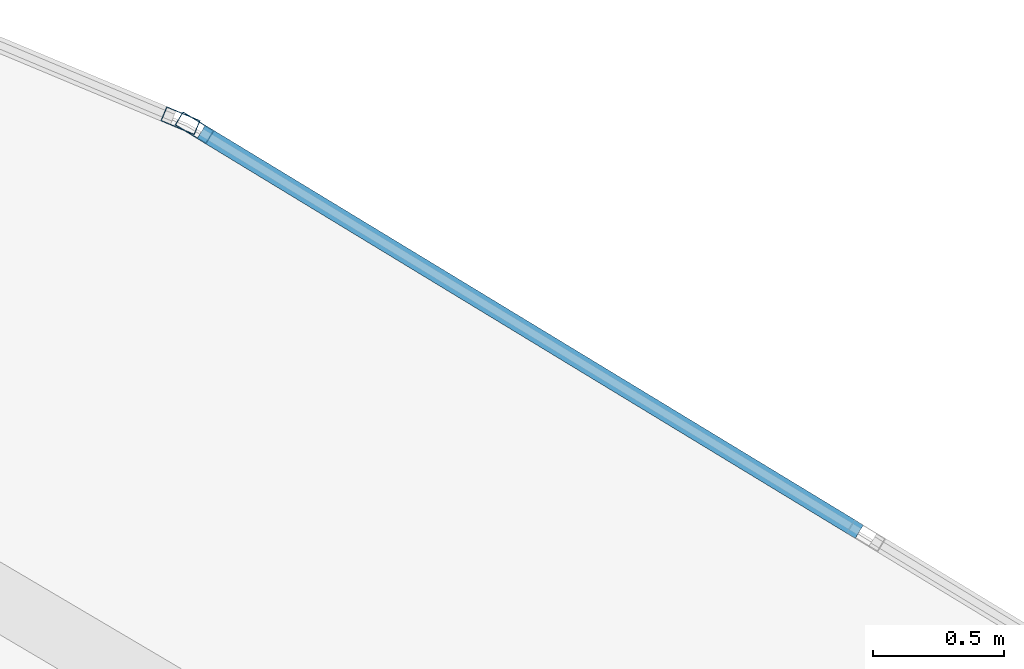
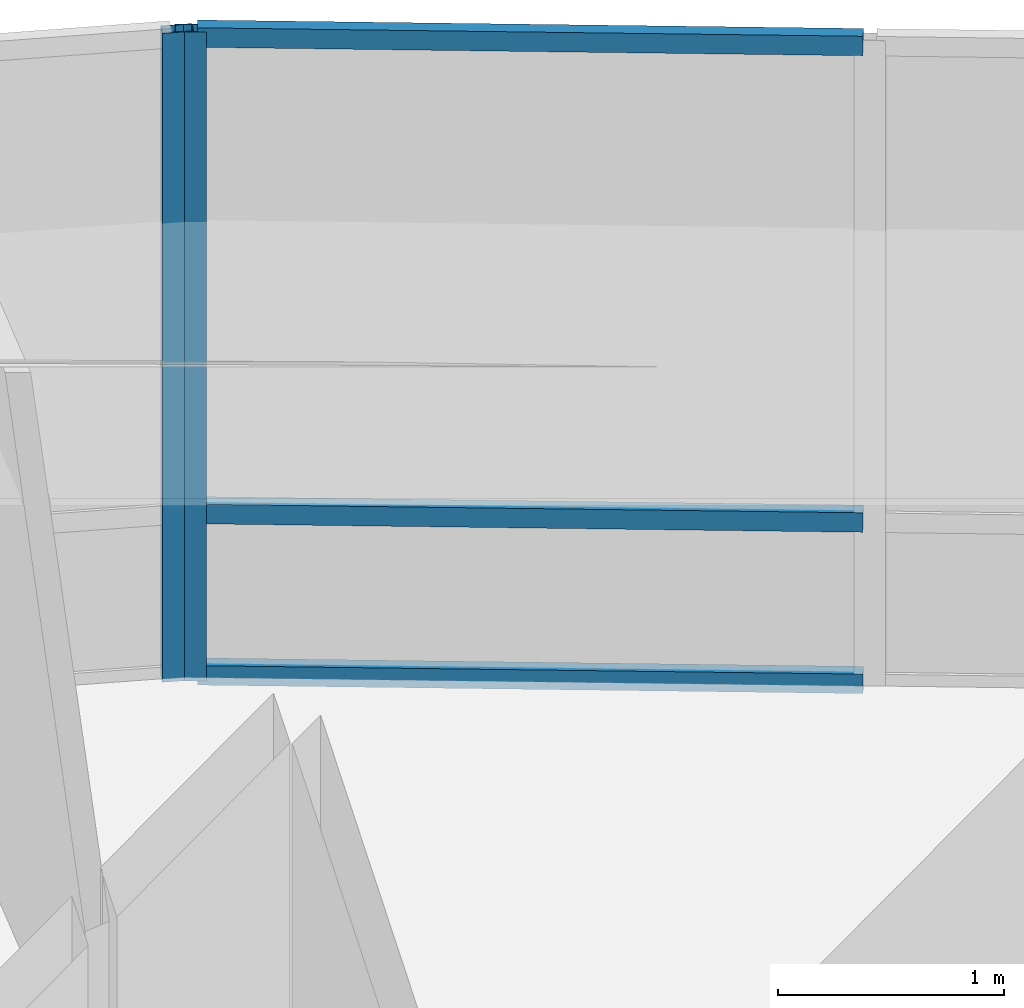
# One storey, part 8 of 17: 5 members, 2 elements without a shape of their own.
"""IFC4 building model written with IfcOpenShell, lengths in metres."""

from ifc_helpers import new_model, si_unit, direction, frame, origin, origin_2d, place, context, subcontext, project, spatial, hollow_rectangle, extrude, material, layer, layer_set, material_profile, profile_set, type_object, element, aggregate, save


model = new_model("IFC4")

# Units and contexts
model_context = context("Model", 3, precision=1e-05, world=origin(), true_north=direction((0.0, 1.0)))
body_context = subcontext(model_context, "Body", "Model", "MODEL_VIEW")
ifc_project = project(units=[si_unit("LENGTHUNIT", "METRE"), si_unit("AREAUNIT", "SQUARE_METRE"), si_unit("VOLUMEUNIT", "CUBIC_METRE"), si_unit("PLANEANGLEUNIT", "RADIAN"), si_unit("MASSUNIT", "GRAM", prefix="KILO")], contexts=[model_context])

# Site, building, storey
site_placement = place(None, origin())
site = spatial("IfcSite", under=ifc_project, at=site_placement, CompositionType="ELEMENT")
building_placement = place(site_placement, origin())
building = spatial("IfcBuilding", under=site, at=building_placement, Name="Menara Vayukalpa", CompositionType="ELEMENT")
storey_placement = place(building_placement, frame((0.0, 0.0, 206.39990234375)))
storey = spatial("IfcBuildingStorey", under=building, at=storey_placement, Name="L52", CompositionType="ELEMENT", Elevation=206.39990234375)

# Curtain wall, member
ifc_material_1 = material(Name="Anodised Terracotta Aluminium Alloy 6063-T6", Category="masonry")
ifc_layer = layer(ifc_material_1, 0.139892578125)
ifc_layer_set = layer_set([ifc_layer], Name="Anodised Terracotta Aluminium Alloy 6063-T6")
curtain_wall_type = type_object("IfcCurtainWallType", Name="CW-CW5", PredefinedType="USERDEFINED", material=ifc_layer_set)
curtain_wall_1_placement = place(storey_placement, origin())
curtain_wall_1 = element("IfcCurtainWall", 1, at=curtain_wall_1_placement, inside=storey, type_object=curtain_wall_type, Name="L52 High Rise Tapered Curtain Wall CW5 04", ObjectType="UNITISED", PredefinedType="USERDEFINED")
ifc_material_2 = material(Name="Anodised Terracotta Aluminium Alloy 6063-T6", Category="masonry")
ifc_material_profile_1 = material_profile(ifc_material_2, hollow_rectangle(XDim=0.06005859375, YDim=0.139892578125, WallThickness=0.00341796875, at=origin_2d()), Name="ALU 60x140x3.5")
ifc_profile_set_1 = profile_set([ifc_material_profile_1], Name="Anodised Terracotta Aluminium Alloy 6063-T6")
member_type_1 = type_object("IfcMemberType", Name="CWM-CW5", PredefinedType="MULLION", material=ifc_profile_set_1)
member_1_placement = place(storey_placement, frame((29.509521484375, 31.33251953125, 0.0), z_axis=(0.0, 0.0, 1.0), x_axis=(-0.519179911779, -0.854664974832, 0.0)))
member_1 = element("IfcMember", 2, at=member_1_placement, type_object=member_type_1, Name="CW5 mullion 3", PredefinedType="MULLION", context=body_context, shape_type="SweptSolid", body=[
    extrude(hollow_rectangle(XDim=0.06005859375, YDim=0.139892578125, WallThickness=0.00341796875, at=origin_2d()), origin(), (0.0, 0.0, 1.0), 3.5),
])

curtain_wall_2_placement = place(storey_placement, origin())
curtain_wall_2 = element("IfcCurtainWall", 3, at=curtain_wall_2_placement, inside=storey, type_object=curtain_wall_type, Name="L52 High Rise Tapered Curtain Wall CW5 05", ObjectType="UNITISED", PredefinedType="USERDEFINED")
member_2_placement = place(storey_placement, frame((29.4560546875, 31.359619140625, 0.0), z_axis=(0.0, 0.0, 1.0), x_axis=(-0.385902834406, -0.922539431351, 0.0)))
member_2 = element("IfcMember", 4, at=member_2_placement, type_object=member_type_1, Name="CW5 mullion 1", PredefinedType="MULLION", context=body_context, shape_type="SweptSolid", body=[
    extrude(hollow_rectangle(XDim=0.06005859375, YDim=0.139892578125, WallThickness=0.00341796875, at=origin_2d()), origin(), (0.0, 0.0, 1.0), 3.5),
])
aggregate(curtain_wall_2, [member_2])

# Member
ifc_material_3 = material(Name="Anodised Terracotta Aluminium Alloy 6063-T6", Category="masonry")
ifc_material_profile_2 = material_profile(ifc_material_3, hollow_rectangle(XDim=0.06005859375, YDim=0.10498046875, WallThickness=0.0029296875, at=origin_2d()), Name="ALU 60x105x3")
ifc_profile_set_2 = profile_set([ifc_material_profile_2], Name="Anodised Terracotta Aluminium Alloy 6063-T6")
member_type_2 = type_object("IfcMemberType", Name="CWT-CW5", PredefinedType="USERDEFINED", material=ifc_profile_set_2)
member_3_placement = place(storey_placement, frame((32.0498046875, 29.789306640625, 0.030029296875), z_axis=(-0.85466128475, 0.51918598628, 0.0), x_axis=(-0.51918598628, -0.85466128475, 0.0)))
member_3 = element("IfcMember", 5, at=member_3_placement, type_object=member_type_2, Name="CW5 transom 2.1", ObjectType="TRANSOM", PredefinedType="USERDEFINED", context=body_context, shape_type="SweptSolid", body=[
    extrude(hollow_rectangle(XDim=0.06005859375, YDim=0.10498046875, WallThickness=0.0029296875, at=origin_2d()), origin(), (0.0, 0.0, 1.0), 2.9423828125),
])

member_4_placement = place(storey_placement, frame((32.0498046875, 29.789306640625, 0.900146484375), z_axis=(-0.85466128475, 0.51918598628, 0.0), x_axis=(-0.51918598628, -0.85466128475, 0.0)))
member_4 = element("IfcMember", 6, at=member_4_placement, type_object=member_type_2, Name="CW5 transom 2.2", ObjectType="TRANSOM", PredefinedType="USERDEFINED", context=body_context, shape_type="SweptSolid", body=[
    extrude(hollow_rectangle(XDim=0.06005859375, YDim=0.10498046875, WallThickness=0.0029296875, at=origin_2d()), origin(), (0.0, 0.0, 1.0), 2.9423828125),
])

member_5_placement = place(storey_placement, frame((32.0498046875, 29.789306640625, 3.47021484375), z_axis=(-0.85466128475, 0.51918598628, 0.0), x_axis=(-0.51918598628, -0.85466128475, 0.0)))
member_5 = element("IfcMember", 7, at=member_5_placement, type_object=member_type_2, Name="CW5 transom 2.3", ObjectType="TRANSOM", PredefinedType="USERDEFINED", context=body_context, shape_type="SweptSolid", body=[
    extrude(hollow_rectangle(XDim=0.06005859375, YDim=0.10498046875, WallThickness=0.0029296875, at=origin_2d()), origin(), (0.0, 0.0, 1.0), 2.9423828125),
])

aggregate(curtain_wall_1, [member_1, member_3, member_4, member_5])

save(model, "model.ifc")
